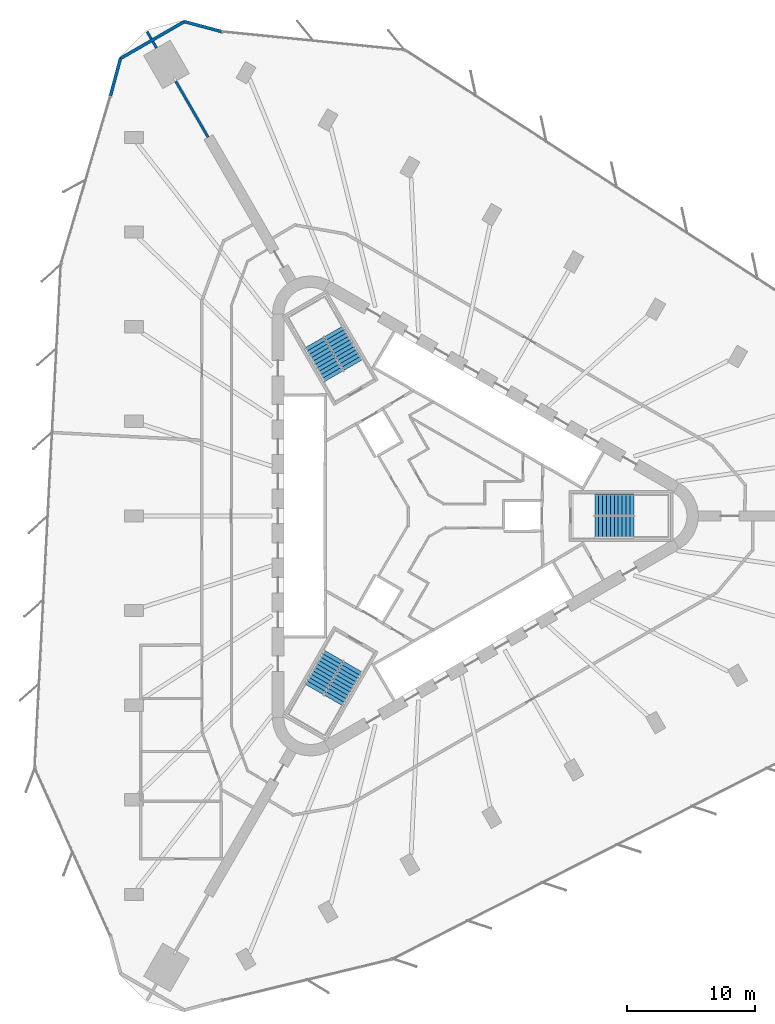
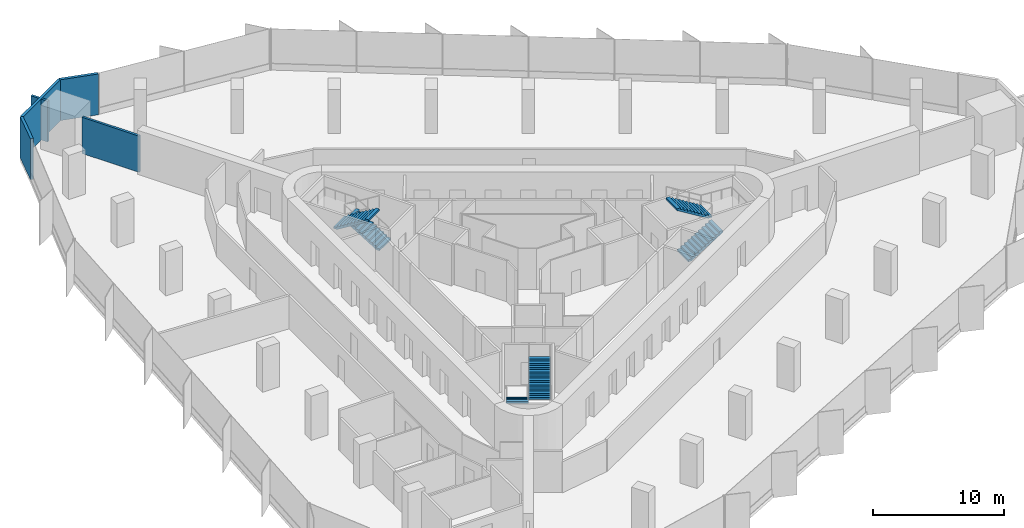
# One storey, part 13 of 14: 6 stair flights, 6 walls, 3 elements without a shape of their own.
"""IFC4 building model written with IfcOpenShell, lengths in metres."""

from ifc_helpers import new_model, si_unit, direction, frame, frame_2d, origin, place, context, subcontext, project, spatial, polyline, rectangle, outline, extrude, material, layer, layer_set, type_object, element, aggregate, save


model = new_model("IFC4")

# Units and contexts
model_context = context("Model", 3, precision=1e-05, world=origin(), true_north=direction((0.0, 1.0)))
body_context = subcontext(model_context, "Body", "Model", "MODEL_VIEW")
ifc_project = project(units=[si_unit("LENGTHUNIT", "METRE"), si_unit("AREAUNIT", "SQUARE_METRE"), si_unit("VOLUMEUNIT", "CUBIC_METRE"), si_unit("PLANEANGLEUNIT", "RADIAN"), si_unit("MASSUNIT", "GRAM", prefix="KILO")], contexts=[model_context])

# Site, building, storey
site_placement = place(None, origin())
site = spatial("IfcSite", under=ifc_project, at=site_placement, CompositionType="ELEMENT")
building_placement = place(site_placement, origin())
building = spatial("IfcBuilding", under=site, at=building_placement, Name="Tanit Gate Tower", CompositionType="ELEMENT")
storey_placement = place(building_placement, frame((0.0, 0.0, 107.0)))
storey = spatial("IfcBuildingStorey", under=building, at=storey_placement, Name="L22", CompositionType="ELEMENT", Elevation=107.0)

# Walls
ifc_material_1 = material(Name="Concrete C30/37 with bronze anodised aluminium cladding", Category="concrete")
ifc_layer_1 = layer(ifc_material_1, 0.239990234375)
ifc_layer_set_1 = layer_set([ifc_layer_1], Name="Facade wall bronze clad 240")
wall_type_1 = type_object("IfcWallType", Name="Facade wall bronze clad 240", PredefinedType="SOLIDWALL", material=ifc_layer_set_1)
wall_1_placement = place(storey_placement, frame((-16.0380859375, 37.83349609375, 0.0), z_axis=(0.0, 0.0, 1.0), x_axis=(-0.965933302526, 0.258791141795, 0.0)))
element("IfcWall", 1, at=wall_1_placement, inside=storey, type_object=wall_type_1, Name="Bronze-clad facade wall L22 NW.arc1", PredefinedType="SOLIDWALL", context=body_context, shape_type="SweptSolid", body=[
    extrude(rectangle(XDim=3.029296875, YDim=0.239990234375, at=frame_2d((1.5146484375, 0.0))), origin(), (0.0, 0.0, 1.0), 3.800048828125),
])
wall_2_placement = place(storey_placement, frame((-18.964111328125, 38.617431640625, 0.0), z_axis=(0.0, 0.0, 1.0), x_axis=(-0.866013679419, -0.500020306647, 0.0)))
element("IfcWall", 2, at=wall_2_placement, inside=storey, type_object=wall_type_1, Name="Bronze-clad facade wall L22 NW.arc2", PredefinedType="SOLIDWALL", context=body_context, shape_type="SweptSolid", body=[
    extrude(rectangle(XDim=5.770751953125, YDim=0.239990234375, at=frame_2d((2.88525390625, 0.0))), origin(), (0.0, 0.0, 1.0), 3.800048828125),
])
wall_3_placement = place(storey_placement, frame((-23.961669921875, 35.73193359375, 0.0), z_axis=(0.0, 0.0, 1.0), x_axis=(-0.258799378192, -0.965931095807, 0.0)))
element("IfcWall", 3, at=wall_3_placement, inside=storey, type_object=wall_type_1, Name="Bronze-clad facade wall L22 NW.arc3", PredefinedType="SOLIDWALL", context=body_context, shape_type="SweptSolid", body=[
    extrude(rectangle(XDim=3.020751953125, YDim=0.239990234375, at=frame_2d((1.51025390625, 0.0))), origin(), (0.0, 0.0, 1.0), 3.800048828125),
])
ifc_material_2 = material(Name="Fire-rated gypsum board partition")
ifc_layer_2 = layer(ifc_material_2, 0.199951171875)
ifc_layer_set_2 = layer_set([ifc_layer_2], Name="INT-WALL-COMPARTMENT")
wall_type_2 = type_object("IfcWallType", Name="INT-WALL-COMPARTMENT", PredefinedType="PARTITIONING", material=ifc_layer_set_2)
wall_4_placement = place(storey_placement, frame((-21.871337890625, 37.822265625, 0.0), z_axis=(0.0, 0.0, 1.0), x_axis=(0.500006411147, -0.866021702275, 0.0)))
element("IfcWall", 4, at=wall_4_placement, inside=storey, type_object=wall_type_2, Name="Wall Compartment W120", PredefinedType="PARTITIONING", context=body_context, shape_type="SweptSolid", body=[
    extrude(rectangle(XDim=0.64501953125, YDim=0.199951171875, at=frame_2d((0.322509765625, 0.0))), origin(), (0.0, 0.0, 1.0), 3.800048828125),
])
wall_5_placement = place(storey_placement, frame((-21.428955078125, 37.055908203125, 0.0), z_axis=(0.0, 0.0, 1.0), x_axis=(0.500193841991, -0.86591346013, 0.0)))
element("IfcWall", 5, at=wall_5_placement, inside=storey, type_object=wall_type_2, Name="Wall Compartment W120x1", PredefinedType="PARTITIONING", context=body_context, shape_type="SweptSolid", body=[
    extrude(rectangle(XDim=0.582763671875, YDim=0.199951171875, at=frame_2d((0.29150390625, 0.0))), origin(), (0.0, 0.0, 1.0), 3.800048828125),
])
wall_6_placement = place(storey_placement, frame((-19.637451171875, 33.953125, 0.0), z_axis=(0.0, 0.0, 1.0), x_axis=(0.499994660107, -0.866028486751, 0.0)))
element("IfcWall", 6, at=wall_6_placement, inside=storey, type_object=wall_type_2, Name="Wall Compartment W121", PredefinedType="PARTITIONING", context=body_context, shape_type="SweptSolid", body=[
    extrude(rectangle(XDim=5.04638671875, YDim=0.199951171875, at=frame_2d((2.523193359375, 0.0))), origin(), (0.0, 0.0, 1.0), 3.3701171875),
])

# Stair, stair flights
ifc_material_3 = material(Name="Concrete C40/50", Category="concrete")
stair_type = type_object("IfcStairType", Name="INT-STAIR-EXIT", PredefinedType="HALF_TURN_STAIR", material=ifc_material_3)
stair_1_placement = place(storey_placement, origin())
stair_1 = element("IfcStair", 7, at=stair_1_placement, inside=storey, type_object=stair_type, Name="L22 STAIR S1", PredefinedType="HALF_TURN_STAIR")
ifc_material_4 = material(Name="Concrete C40/50", Category="concrete")
stair_flight_type = type_object("IfcStairFlightType", Name="INT-STAIR-FLIGHT", PredefinedType="STRAIGHT", material=ifc_material_4)
stair_flight_1_placement = place(storey_placement, frame((13.094970703125, -0.8525390625, 0.0), z_axis=(0.0, 0.0, 1.0), x_axis=(1.0, 0.0, 0.0)))
stair_flight_1 = element("IfcStairFlight", 8, at=stair_flight_1_placement, type_object=stair_flight_type, Name="S1 flight 1", NumberOfRisers=11, NumberOfTreads=10, PredefinedType="STRAIGHT", RiserHeight=0.186363636, TreadLength=0.3051, context=body_context, shape_type="SweptSolid", body=[
    extrude(outline(polyline([(0.0, 0.0), (0.0, 0.186279296875), (0.30517578125, 0.186279296875), (0.30517578125, 0.372802734375), (0.610107421875, 0.372802734375), (0.610107421875, 0.55908203125), (0.915283203125, 0.55908203125), (0.915283203125, 0.745361328125), (1.220458984375, 0.745361328125), (1.220458984375, 0.931884765625), (1.525390625, 0.931884765625), (1.525390625, 1.1181640625), (1.83056640625, 1.1181640625), (1.83056640625, 1.304443359375), (2.1357421875, 1.304443359375), (2.1357421875, 1.490966796875), (2.44091796875, 1.490966796875), (2.44091796875, 1.67724609375), (2.745849609375, 1.67724609375), (2.745849609375, 1.863525390625), (3.051025390625, 1.863525390625), (3.051025390625, 2.050048828125), (3.051025390625, 1.68798828125), (0.28759765625, 0.0), (0.0, 0.0)])), frame((0.0, 0.84765625, 0.0), z_axis=(0.0, -1.0, 0.0), x_axis=(1.0, 0.0, 0.0)), (0.0, 0.0, 1.0), 1.695068359375),
])
stair_flight_2_placement = place(storey_placement, frame((16.14599609375, 0.8525390625, 2.050048828125), z_axis=(0.0, 0.0, 1.0), x_axis=(-1.0, 0.0, 0.0)))
stair_flight_2 = element("IfcStairFlight", 9, at=stair_flight_2_placement, type_object=stair_flight_type, Name="S1 flight 2", NumberOfRisers=11, NumberOfTreads=10, PredefinedType="STRAIGHT", RiserHeight=0.186363636, TreadLength=0.3051, context=body_context, shape_type="SweptSolid", body=[
    extrude(outline(polyline([(0.0, 0.0), (0.0, 0.186279296875), (0.30517578125, 0.186279296875), (0.30517578125, 0.372802734375), (0.610107421875, 0.372802734375), (0.610107421875, 0.55908203125), (0.915283203125, 0.55908203125), (0.915283203125, 0.745361328125), (1.220458984375, 0.745361328125), (1.220458984375, 0.931884765625), (1.525390625, 0.931884765625), (1.525390625, 1.1181640625), (1.83056640625, 1.1181640625), (1.83056640625, 1.304443359375), (2.1357421875, 1.304443359375), (2.1357421875, 1.490966796875), (2.44091796875, 1.490966796875), (2.44091796875, 1.67724609375), (2.745849609375, 1.67724609375), (2.745849609375, 1.863525390625), (3.051025390625, 1.863525390625), (3.051025390625, 2.050048828125), (3.051025390625, 1.68798828125), (0.28759765625, 0.0), (0.0, 0.0)])), frame((0.0, 0.84765625, 0.0), z_axis=(0.0, -1.0, 0.0), x_axis=(1.0, 0.0, 0.0)), (0.0, 0.0, 1.0), 1.695068359375),
])
aggregate(stair_1, [stair_flight_1, stair_flight_2])

stair_2_placement = place(storey_placement, origin())
stair_2 = element("IfcStair", 10, at=stair_2_placement, inside=storey, type_object=stair_type, Name="L22 STAIR S2", PredefinedType="HALF_TURN_STAIR")
stair_flight_3_placement = place(storey_placement, frame((-5.808349609375, 11.766357421875, 0.0), z_axis=(0.0, 0.0, 1.0), x_axis=(-0.5, 0.866025403784, 0.0)))
stair_flight_3 = element("IfcStairFlight", 11, at=stair_flight_3_placement, type_object=stair_flight_type, Name="S2 flight 1", NumberOfRisers=11, NumberOfTreads=10, PredefinedType="STRAIGHT", RiserHeight=0.186363636, TreadLength=0.30492, context=body_context, shape_type="SweptSolid", body=[
    extrude(outline(polyline([(0.0, 0.0), (0.0, 0.186279296875), (0.304931640625, 0.186279296875), (0.304931640625, 0.372802734375), (0.60986328125, 0.372802734375), (0.60986328125, 0.55908203125), (0.914794921875, 0.55908203125), (0.914794921875, 0.745361328125), (1.2197265625, 0.745361328125), (1.2197265625, 0.931884765625), (1.524658203125, 0.931884765625), (1.524658203125, 1.1181640625), (1.82958984375, 1.1181640625), (1.82958984375, 1.304443359375), (2.134521484375, 1.304443359375), (2.134521484375, 1.490966796875), (2.439453125, 1.490966796875), (2.439453125, 1.67724609375), (2.744384765625, 1.67724609375), (2.744384765625, 1.863525390625), (3.04931640625, 1.863525390625), (3.04931640625, 2.050048828125), (3.04931640625, 1.68798828125), (0.287353515625, 0.0), (0.0, 0.0)])), frame((0.0, 0.84716796875, 0.0), z_axis=(0.0, -1.0, 0.0), x_axis=(1.0, 0.0, 0.0)), (0.0, 0.0, 1.0), 1.694091796875),
])
stair_flight_4_placement = place(storey_placement, frame((-8.810302734375, 13.553955078125, 2.050048828125), z_axis=(0.0, 0.0, 1.0), x_axis=(0.5, -0.866025403784, 0.0)))
stair_flight_4 = element("IfcStairFlight", 12, at=stair_flight_4_placement, type_object=stair_flight_type, Name="S2 flight 2", NumberOfRisers=11, NumberOfTreads=10, PredefinedType="STRAIGHT", RiserHeight=0.186363636, TreadLength=0.30492, context=body_context, shape_type="SweptSolid", body=[
    extrude(outline(polyline([(0.0, 0.0), (0.0, 0.186279296875), (0.304931640625, 0.186279296875), (0.304931640625, 0.372802734375), (0.60986328125, 0.372802734375), (0.60986328125, 0.55908203125), (0.914794921875, 0.55908203125), (0.914794921875, 0.745361328125), (1.2197265625, 0.745361328125), (1.2197265625, 0.931884765625), (1.524658203125, 0.931884765625), (1.524658203125, 1.1181640625), (1.82958984375, 1.1181640625), (1.82958984375, 1.304443359375), (2.134521484375, 1.304443359375), (2.134521484375, 1.490966796875), (2.439453125, 1.490966796875), (2.439453125, 1.67724609375), (2.744384765625, 1.67724609375), (2.744384765625, 1.863525390625), (3.04931640625, 1.863525390625), (3.04931640625, 2.050048828125), (3.04931640625, 1.68798828125), (0.287353515625, 0.0), (0.0, 0.0)])), frame((0.0, 0.84716796875, 0.0), z_axis=(0.0, -1.0, 0.0), x_axis=(1.0, 0.0, 0.0)), (0.0, 0.0, 1.0), 1.694091796875),
])
aggregate(stair_2, [stair_flight_3, stair_flight_4])

stair_3_placement = place(storey_placement, origin())
stair_3 = element("IfcStair", 13, at=stair_3_placement, inside=storey, type_object=stair_type, Name="L22 STAIR S3", PredefinedType="HALF_TURN_STAIR")
stair_flight_5_placement = place(storey_placement, frame((-7.285888671875, -10.914306640625, 0.0), z_axis=(0.0, 0.0, 1.0), x_axis=(-0.5, -0.866025403784, 0.0)))
stair_flight_5 = element("IfcStairFlight", 14, at=stair_flight_5_placement, type_object=stair_flight_type, Name="S3 flight 1", NumberOfRisers=11, NumberOfTreads=10, PredefinedType="STRAIGHT", RiserHeight=0.186363636, TreadLength=0.3051, context=body_context, shape_type="SweptSolid", body=[
    extrude(outline(polyline([(0.0, 0.0), (0.0, 0.186279296875), (0.30517578125, 0.186279296875), (0.30517578125, 0.372802734375), (0.610107421875, 0.372802734375), (0.610107421875, 0.55908203125), (0.915283203125, 0.55908203125), (0.915283203125, 0.745361328125), (1.220458984375, 0.745361328125), (1.220458984375, 0.931884765625), (1.525390625, 0.931884765625), (1.525390625, 1.1181640625), (1.83056640625, 1.1181640625), (1.83056640625, 1.304443359375), (2.1357421875, 1.304443359375), (2.1357421875, 1.490966796875), (2.44091796875, 1.490966796875), (2.44091796875, 1.67724609375), (2.745849609375, 1.67724609375), (2.745849609375, 1.863525390625), (3.051025390625, 1.863525390625), (3.051025390625, 2.050048828125), (3.051025390625, 1.68798828125), (0.28759765625, 0.0), (0.0, 0.0)])), frame((0.0, 0.84765625, 0.0), z_axis=(0.0, -1.0, 0.0), x_axis=(1.0, 0.0, 0.0)), (0.0, 0.0, 1.0), 1.695068359375),
])
stair_flight_6_placement = place(storey_placement, frame((-7.334716796875, -14.4091796875, 2.050048828125), z_axis=(0.0, 0.0, 1.0), x_axis=(0.5, 0.866025403784, 0.0)))
stair_flight_6 = element("IfcStairFlight", 15, at=stair_flight_6_placement, type_object=stair_flight_type, Name="S3 flight 2", NumberOfRisers=11, NumberOfTreads=10, PredefinedType="STRAIGHT", RiserHeight=0.186363636, TreadLength=0.3051, context=body_context, shape_type="SweptSolid", body=[
    extrude(outline(polyline([(0.0, 0.0), (0.0, 0.186279296875), (0.30517578125, 0.186279296875), (0.30517578125, 0.372802734375), (0.610107421875, 0.372802734375), (0.610107421875, 0.55908203125), (0.915283203125, 0.55908203125), (0.915283203125, 0.745361328125), (1.220458984375, 0.745361328125), (1.220458984375, 0.931884765625), (1.525390625, 0.931884765625), (1.525390625, 1.1181640625), (1.83056640625, 1.1181640625), (1.83056640625, 1.304443359375), (2.1357421875, 1.304443359375), (2.1357421875, 1.490966796875), (2.44091796875, 1.490966796875), (2.44091796875, 1.67724609375), (2.745849609375, 1.67724609375), (2.745849609375, 1.863525390625), (3.051025390625, 1.863525390625), (3.051025390625, 2.050048828125), (3.051025390625, 1.68798828125), (0.28759765625, 0.0), (0.0, 0.0)])), frame((0.0, 0.84765625, 0.0), z_axis=(0.0, -1.0, 0.0), x_axis=(1.0, 0.0, 0.0)), (0.0, 0.0, 1.0), 1.695068359375),
])
aggregate(stair_3, [stair_flight_5, stair_flight_6])

save(model, "model.ifc")
